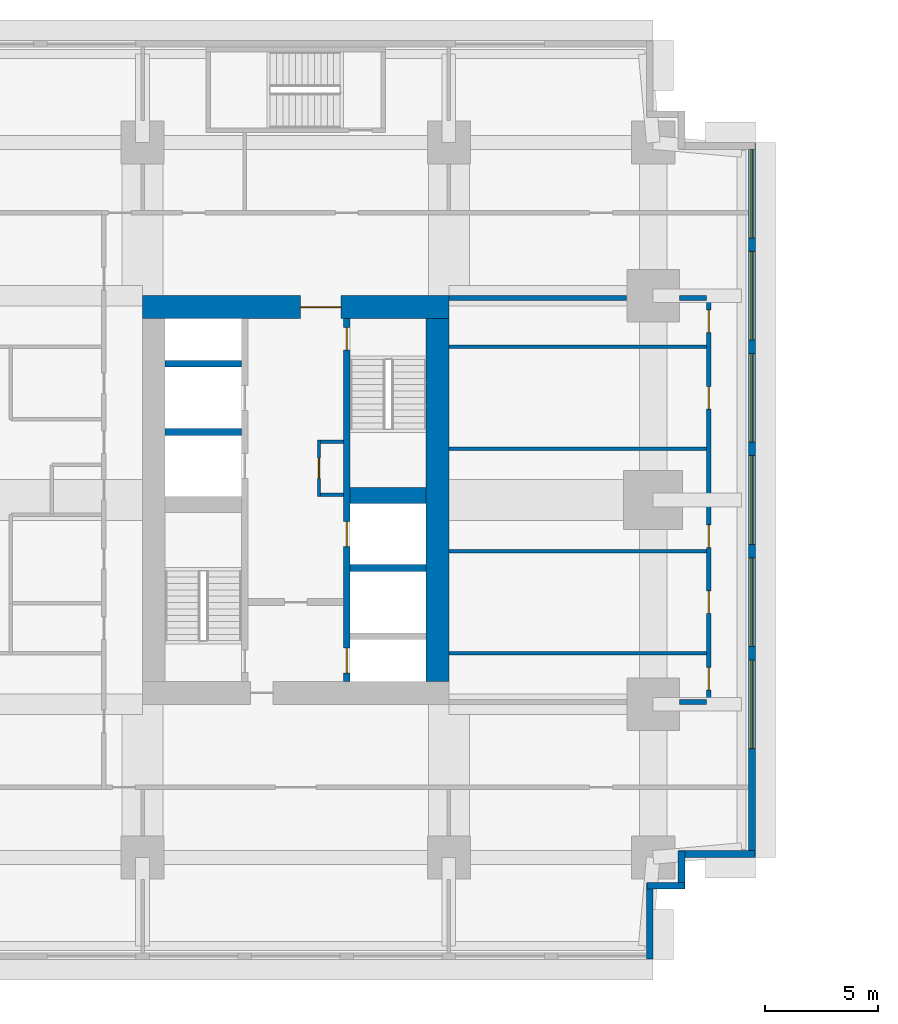
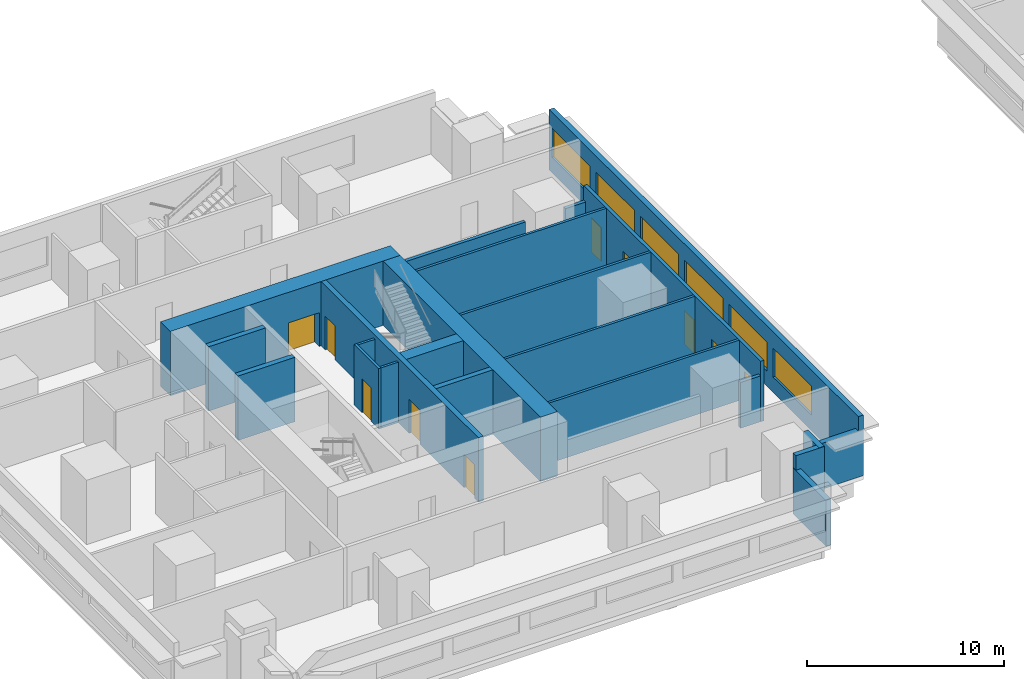
# One storey, part 4 of 11: 23 walls, 10 doors, 6 windows, 16 openings.
"""IFC4 building model written with IfcOpenShell, lengths in metres."""

from ifc_helpers import new_model, si_unit, direction, frame, frame_2d, origin, place, context, subcontext, project, spatial, rectangle, extrude, material, layer, layer_set, type_object, element, fill, save


model = new_model("IFC4")

# Units and contexts
model_context = context("Model", 3, precision=1e-05, world=origin(), true_north=direction((0.0, 1.0)))
body_context = subcontext(model_context, "Body", "Model", "MODEL_VIEW")
ifc_project = project(units=[si_unit("LENGTHUNIT", "METRE"), si_unit("AREAUNIT", "SQUARE_METRE"), si_unit("VOLUMEUNIT", "CUBIC_METRE"), si_unit("PLANEANGLEUNIT", "RADIAN"), si_unit("MASSUNIT", "GRAM", prefix="KILO")], contexts=[model_context])

# Site, building, storey
site_placement = place(None, origin())
site = spatial("IfcSite", under=ifc_project, at=site_placement, CompositionType="ELEMENT")
building_placement = place(site_placement, origin())
building = spatial("IfcBuilding", under=site, at=building_placement, Name="Namib Vertical Campus", CompositionType="ELEMENT")
storey_placement = place(building_placement, frame((0.0, 0.0, 93.0)))
storey = spatial("IfcBuildingStorey", under=building, at=storey_placement, Name="L21", CompositionType="ELEMENT", Elevation=93.0)

# Wall, openings, doors
ifc_material_1 = material(Name="Concrete C60/75", Category="concrete")
ifc_layer_1 = layer(ifc_material_1, 0.300048828125)
ifc_layer_set_1 = layer_set([ifc_layer_1], Name="Concrete C60/75")
wall_type_1 = type_object("IfcWallType", Name="Core inner wall 300", PredefinedType="SHEAR", material=ifc_layer_set_1)
wall_1_placement = place(storey_placement, frame((22.5, 12.25, 0.0), z_axis=(0.0, 0.0, 1.0), x_axis=(0.0, 1.0, 0.0)))
wall_1 = element("IfcWall", 1, at=wall_1_placement, inside=storey, type_object=wall_type_1, Name="Core inner wall A L21 W2", PredefinedType="SHEAR", context=body_context, shape_type="SweptSolid", body=[
    extrude(rectangle(XDim=16.0, YDim=0.300048828125, at=frame_2d((8.0, 0.0))), origin(), (0.0, 0.0, 1.0), 4.0),
])
opening_1_placement = place(wall_1_placement, frame((14.60009765625, 0.0, 0.0)))
opening_1 = element("IfcOpeningElement", 2, at=opening_1_placement, cuts=wall_1, Name="Opening FD1", PredefinedType="OPENING", context=body_context, shape_type="SweptSolid", body=[
    extrude(rectangle(XDim=1.0, YDim=2.10009765625, at=frame_2d((0.5, 1.050048828125))), frame((0.0, 0.159912109375, 0.0), z_axis=(0.0, -1.0, 0.0), x_axis=(1.0, 0.0, 0.0)), (0.0, 0.0, 1.0), 0.320068359375),
])
opening_2_placement = place(wall_1_placement, frame((0.375, 0.0, 0.0)))
opening_2 = element("IfcOpeningElement", 3, at=opening_2_placement, cuts=wall_1, Name="Opening LD1", PredefinedType="OPENING", context=body_context, shape_type="SweptSolid", body=[
    extrude(rectangle(XDim=1.10009765625, YDim=2.10009765625, at=frame_2d((0.550048828125, 1.050048828125))), frame((0.0, 0.159912109375, 0.0), z_axis=(0.0, -1.0, 0.0), x_axis=(1.0, 0.0, 0.0)), (0.0, 0.0, 1.0), 0.320068359375),
])
opening_3_placement = place(wall_1_placement, frame((5.949951171875, 0.0, 0.0)))
opening_3 = element("IfcOpeningElement", 4, at=opening_3_placement, cuts=wall_1, Name="Opening LD1", PredefinedType="OPENING", context=body_context, shape_type="SweptSolid", body=[
    extrude(rectangle(XDim=1.10009765625, YDim=2.10009765625, at=frame_2d((0.550048828125, 1.050048828125))), frame((0.0, 0.159912109375, 0.0), z_axis=(0.0, -1.0, 0.0), x_axis=(1.0, 0.0, 0.0)), (0.0, 0.0, 1.0), 0.320068359375),
])
ifc_material_2 = material(Name="Steel fire door", Category="steel")
door_type_1 = type_object("IfcDoorType", Name="Fire door 1000x2100", OperationType="SINGLE_SWING_RIGHT", PredefinedType="DOOR", material=ifc_material_2)
door_1_placement = place(opening_1_placement, frame((1.0, 0.0, 0.0), z_axis=(0.0, 0.0, 1.0), x_axis=(-1.0, 0.0, 0.0)))
door_1 = element("IfcDoor", 5, at=door_1_placement, inside=storey, type_object=door_type_1, Name="Stair door FD1 A L21 S2", OperationType="SINGLE_SWING_LEFT", OverallHeight=2.10009765625, OverallWidth=1.0, PredefinedType="DOOR", context=body_context, shape_type="SweptSolid", body=[
    extrude(rectangle(XDim=1.0, YDim=2.10009765625, at=frame_2d((0.5, 1.050048828125))), frame((0.0, 0.02490234375, 0.0), z_axis=(0.0, -1.0, 0.0), x_axis=(1.0, 0.0, 0.0)), (0.0, 0.0, 1.0), 0.050048828125),
])
fill(opening_1, door_1)
ifc_material_3 = material(Name="Stainless steel lift door", Category="steel")
door_type_2 = type_object("IfcDoorType", Name="Lift landing door 1100x2100", OperationType="DOUBLE_DOOR_SLIDING", PredefinedType="DOOR", material=ifc_material_3)
door_2_placement = place(opening_2_placement, origin())
door_2 = element("IfcDoor", 6, at=door_2_placement, inside=storey, type_object=door_type_2, Name="Lift landing door LD1 A-FL1 L21", OperationType="DOUBLE_DOOR_SLIDING", OverallHeight=2.10009765625, OverallWidth=1.10009765625, PredefinedType="DOOR", context=body_context, shape_type="SweptSolid", body=[
    extrude(rectangle(XDim=1.10009765625, YDim=2.10009765625, at=frame_2d((0.550048828125, 1.050048828125))), frame((0.0, 0.02490234375, 0.0), z_axis=(0.0, -1.0, 0.0), x_axis=(1.0, 0.0, 0.0)), (0.0, 0.0, 1.0), 0.050048828125),
])
fill(opening_2, door_2)
door_3_placement = place(opening_3_placement, origin())
door_3 = element("IfcDoor", 7, at=door_3_placement, inside=storey, type_object=door_type_2, Name="Lift landing door LD1 A-P5 L21", OperationType="DOUBLE_DOOR_SLIDING", OverallHeight=2.10009765625, OverallWidth=1.10009765625, PredefinedType="DOOR", context=body_context, shape_type="SweptSolid", body=[
    extrude(rectangle(XDim=1.10009765625, YDim=2.10009765625, at=frame_2d((0.550048828125, 1.050048828125))), frame((0.0, 0.02490234375, 0.0), z_axis=(0.0, -1.0, 0.0), x_axis=(1.0, 0.0, 0.0)), (0.0, 0.0, 1.0), 0.050048828125),
])
fill(opening_3, door_3)

# Walls
for number, where, z_axis, x_axis, name in (
    (8, (22.64990234375, 17.25, 0.0), (0.0, 0.0, 1.0), (1.0, 0.0, 0.0), "Core inner wall A L21 W6"),
    (9, (14.5, 23.25, 0.0), (0.0, 0.0, 1.0), (1.0, 0.0, 0.0), "Core inner wall A L21 W8"),
    (10, (14.5, 26.25, 0.0), (0.0, 0.0, 1.0), (1.0, 0.0, 0.0), "Core inner wall A L21 W9"),
):
    element("IfcWall", number, at=place(storey_placement, frame(where, z_axis=z_axis, x_axis=x_axis)), inside=storey, type_object=wall_type_1, Name=name, PredefinedType="SHEAR", context=body_context, shape_type="SweptSolid", body=[
        extrude(rectangle(XDim=3.35009765625, YDim=0.300048828125, at=frame_2d((1.675048828125, 0.0))), origin(), (0.0, 0.0, 1.0), 4.0),
    ])
ifc_material_4 = material(Name="Concrete C60/75", Category="concrete")
ifc_layer_2 = layer(ifc_material_4, 0.699951171875)
ifc_layer_set_2 = layer_set([ifc_layer_2], Name="Concrete C60/75")
wall_type_2 = type_object("IfcWallType", Name="Core shear wall 700", PredefinedType="SHEAR", material=ifc_layer_set_2)
wall_2_placement = place(storey_placement, frame((22.64990234375, 20.449951171875, 0.0), z_axis=(0.0, 0.0, 1.0), x_axis=(1.0, 0.0, 0.0)))
element("IfcWall", 11, at=wall_2_placement, inside=storey, type_object=wall_type_2, Name="Core shear wall A L21 W7", PredefinedType="SHEAR", context=body_context, shape_type="SweptSolid", body=[
    extrude(rectangle(XDim=3.35009765625, YDim=0.699951171875, at=frame_2d((1.675048828125, 0.0))), origin(), (0.0, 0.0, 1.0), 4.0),
])
ifc_material_5 = material(Name="Concrete C60/75", Category="concrete")
ifc_layer_3 = layer(ifc_material_5, 1.0)
ifc_layer_set_3 = layer_set([ifc_layer_3], Name="Concrete C60/75")
wall_type_3 = type_object("IfcWallType", Name="Core wall 1000", PredefinedType="SHEAR", material=ifc_layer_set_3)
wall_3_placement = place(storey_placement, frame((26.5, 12.25, 0.0), z_axis=(0.0, 0.0, 1.0), x_axis=(0.0, 1.0, 0.0)))
element("IfcWall", 12, at=wall_3_placement, inside=storey, type_object=wall_type_3, Name="Core wall A L21 2", PredefinedType="SHEAR", context=body_context, shape_type="SweptSolid", body=[
    extrude(rectangle(XDim=16.0, YDim=1.0, at=frame_2d((8.0, 0.0))), origin(), (0.0, 0.0, 1.0), 4.0),
])

# Wall, opening, door
wall_4_placement = place(storey_placement, frame((27.0, 28.75, 0.0), z_axis=(0.0, 0.0, 1.0), x_axis=(-1.0, 0.0, 0.0)))
wall_4 = element("IfcWall", 13, at=wall_4_placement, inside=storey, type_object=wall_type_3, Name="Core wall A L21 3", PredefinedType="SHEAR", context=body_context, shape_type="SweptSolid", body=[
    extrude(rectangle(XDim=13.5, YDim=1.0, at=frame_2d((6.75, 0.0))), origin(), (0.0, 0.0, 1.0), 4.0),
])
opening_4_placement = place(wall_4_placement, frame((4.75, 0.0, 0.0)))
opening_4 = element("IfcOpeningElement", 14, at=opening_4_placement, cuts=wall_4, Name="Opening FD2", PredefinedType="OPENING", context=body_context, shape_type="SweptSolid", body=[
    extrude(rectangle(XDim=1.800048828125, YDim=2.10009765625, at=frame_2d((0.89990234375, 1.050048828125))), frame((0.0, 0.510009765625, 0.0), z_axis=(0.0, -1.0, 0.0), x_axis=(1.0, 0.0, 0.0)), (0.0, 0.0, 1.0), 1.02001953125),
])
ifc_material_6 = material(Name="Steel fire door", Category="steel")
door_type_3 = type_object("IfcDoorType", Name="Fire door double 1800x2100", OperationType="DOUBLE_DOOR_SINGLE_SWING", PredefinedType="DOOR", material=ifc_material_6)
door_4_placement = place(opening_4_placement, origin())
door_4 = element("IfcDoor", 15, at=door_4_placement, inside=storey, type_object=door_type_3, Name="Lift lobby door FD2 A L21", OperationType="DOUBLE_DOOR_SINGLE_SWING", OverallHeight=2.10009765625, OverallWidth=1.800048828125, PredefinedType="DOOR", context=body_context, shape_type="SweptSolid", body=[
    extrude(rectangle(XDim=1.800048828125, YDim=2.10009765625, at=frame_2d((0.89990234375, 1.050048828125))), frame((0.0, 0.02490234375, 0.0), z_axis=(0.0, -1.0, 0.0), x_axis=(1.0, 0.0, 0.0)), (0.0, 0.0, 1.0), 0.050048828125),
])
fill(opening_4, door_4)

# Wall, openings, doors
ifc_material_7 = material(Name="Concrete masonry", Category="masonry")
ifc_layer_4 = layer(ifc_material_7, 0.199951171875)
ifc_layer_set_4 = layer_set([ifc_layer_4], Name="Corridor wall 200")
wall_type_4 = type_object("IfcWallType", Name="Corridor wall 200", PredefinedType="SOLIDWALL", material=ifc_layer_set_4)
wall_5_placement = place(storey_placement, frame((38.449951171875, 11.25, 0.0), z_axis=(0.0, 0.0, 1.0), x_axis=(0.0, 1.0, 0.0)))
wall_5 = element("IfcWall", 16, at=wall_5_placement, inside=storey, type_object=wall_type_4, Name="Corridor wall A L21 CG", PredefinedType="SOLIDWALL", context=body_context, shape_type="SweptSolid", body=[
    extrude(rectangle(XDim=18.0, YDim=0.199951171875, at=frame_2d((9.0, 0.0))), origin(), (0.0, 0.0, 1.0), 3.75),
])
opening_5_placement = place(wall_5_placement, frame((0.625, 0.0, 0.0)))
opening_5 = element("IfcOpeningElement", 17, at=opening_5_placement, cuts=wall_5, Name="Opening CD1", PredefinedType="OPENING", context=body_context, shape_type="SweptSolid", body=[
    extrude(rectangle(XDim=1.0, YDim=2.10009765625, at=frame_2d((0.5, 1.050048828125))), frame((0.0, 0.10986328125, 0.0), z_axis=(0.0, -1.0, 0.0), x_axis=(1.0, 0.0, 0.0)), (0.0, 0.0, 1.0), 0.219970703125),
])
opening_6_placement = place(wall_5_placement, frame((4.0, 0.0, 0.0)))
opening_6 = element("IfcOpeningElement", 18, at=opening_6_placement, cuts=wall_5, Name="Opening CD1", PredefinedType="OPENING", context=body_context, shape_type="SweptSolid", body=[
    extrude(rectangle(XDim=1.0, YDim=2.10009765625, at=frame_2d((0.5, 1.050048828125))), frame((0.0, 0.10986328125, 0.0), z_axis=(0.0, -1.0, 0.0), x_axis=(1.0, 0.0, 0.0)), (0.0, 0.0, 1.0), 0.219970703125),
])
opening_7_placement = place(wall_5_placement, frame((6.89990234375, 0.0, 0.0)))
opening_7 = element("IfcOpeningElement", 19, at=opening_7_placement, cuts=wall_5, Name="Opening CD1", PredefinedType="OPENING", context=body_context, shape_type="SweptSolid", body=[
    extrude(rectangle(XDim=1.0, YDim=2.10009765625, at=frame_2d((0.5, 1.050048828125))), frame((0.0, 0.10986328125, 0.0), z_axis=(0.0, -1.0, 0.0), x_axis=(1.0, 0.0, 0.0)), (0.0, 0.0, 1.0), 0.219970703125),
])
opening_8_placement = place(wall_5_placement, frame((13.0, 0.0, 0.0)))
opening_8 = element("IfcOpeningElement", 20, at=opening_8_placement, cuts=wall_5, Name="Opening CD1", PredefinedType="OPENING", context=body_context, shape_type="SweptSolid", body=[
    extrude(rectangle(XDim=1.0, YDim=2.10009765625, at=frame_2d((0.5, 1.050048828125))), frame((0.0, 0.10986328125, 0.0), z_axis=(0.0, -1.0, 0.0), x_axis=(1.0, 0.0, 0.0)), (0.0, 0.0, 1.0), 0.219970703125),
])
opening_9_placement = place(wall_5_placement, frame((16.375, 0.0, 0.0)))
opening_9 = element("IfcOpeningElement", 21, at=opening_9_placement, cuts=wall_5, Name="Opening CD1", PredefinedType="OPENING", context=body_context, shape_type="SweptSolid", body=[
    extrude(rectangle(XDim=1.0, YDim=2.10009765625, at=frame_2d((0.5, 1.050048828125))), frame((0.0, 0.10986328125, 0.0), z_axis=(0.0, -1.0, 0.0), x_axis=(1.0, 0.0, 0.0)), (0.0, 0.0, 1.0), 0.219970703125),
])
ifc_material_8 = material(Name="Timber fire door leaf", Category="wood")
door_type_4 = type_object("IfcDoorType", Name="Corridor door 1000x2100 20 min", OperationType="SINGLE_SWING_LEFT", PredefinedType="DOOR", material=ifc_material_8)
door_5_placement = place(opening_5_placement, origin())
door_5 = element("IfcDoor", 22, at=door_5_placement, inside=storey, type_object=door_type_4, Name="Door CD1 A21-04", OperationType="SINGLE_SWING_LEFT", OverallHeight=2.10009765625, OverallWidth=1.0, PredefinedType="DOOR", context=body_context, shape_type="SweptSolid", body=[
    extrude(rectangle(XDim=1.0, YDim=2.10009765625, at=frame_2d((0.5, 1.050048828125))), frame((0.0, 0.02490234375, 0.0), z_axis=(0.0, -1.0, 0.0), x_axis=(1.0, 0.0, 0.0)), (0.0, 0.0, 1.0), 0.050048828125),
])
fill(opening_5, door_5)
door_6_placement = place(opening_6_placement, origin())
door_6 = element("IfcDoor", 23, at=door_6_placement, inside=storey, type_object=door_type_4, Name="Door CD1 A21-05", OperationType="SINGLE_SWING_LEFT", OverallHeight=2.10009765625, OverallWidth=1.0, PredefinedType="DOOR", context=body_context, shape_type="SweptSolid", body=[
    extrude(rectangle(XDim=1.0, YDim=2.10009765625, at=frame_2d((0.5, 1.050048828125))), frame((0.0, 0.02490234375, 0.0), z_axis=(0.0, -1.0, 0.0), x_axis=(1.0, 0.0, 0.0)), (0.0, 0.0, 1.0), 0.050048828125),
])
fill(opening_6, door_6)
door_7_placement = place(opening_7_placement, origin())
door_7 = element("IfcDoor", 24, at=door_7_placement, inside=storey, type_object=door_type_4, Name="Door CD1 A21-06", OperationType="SINGLE_SWING_LEFT", OverallHeight=2.10009765625, OverallWidth=1.0, PredefinedType="DOOR", context=body_context, shape_type="SweptSolid", body=[
    extrude(rectangle(XDim=1.0, YDim=2.10009765625, at=frame_2d((0.5, 1.050048828125))), frame((0.0, 0.02490234375, 0.0), z_axis=(0.0, -1.0, 0.0), x_axis=(1.0, 0.0, 0.0)), (0.0, 0.0, 1.0), 0.050048828125),
])
fill(opening_7, door_7)
door_8_placement = place(opening_8_placement, origin())
door_8 = element("IfcDoor", 25, at=door_8_placement, inside=storey, type_object=door_type_4, Name="Door CD1 A21-07", OperationType="SINGLE_SWING_LEFT", OverallHeight=2.10009765625, OverallWidth=1.0, PredefinedType="DOOR", context=body_context, shape_type="SweptSolid", body=[
    extrude(rectangle(XDim=1.0, YDim=2.10009765625, at=frame_2d((0.5, 1.050048828125))), frame((0.0, 0.02490234375, 0.0), z_axis=(0.0, -1.0, 0.0), x_axis=(1.0, 0.0, 0.0)), (0.0, 0.0, 1.0), 0.050048828125),
])
fill(opening_8, door_8)
door_9_placement = place(opening_9_placement, origin())
door_9 = element("IfcDoor", 26, at=door_9_placement, inside=storey, type_object=door_type_4, Name="Door CD1 A21-08", OperationType="SINGLE_SWING_LEFT", OverallHeight=2.10009765625, OverallWidth=1.0, PredefinedType="DOOR", context=body_context, shape_type="SweptSolid", body=[
    extrude(rectangle(XDim=1.0, YDim=2.10009765625, at=frame_2d((0.5, 1.050048828125))), frame((0.0, 0.02490234375, 0.0), z_axis=(0.0, -1.0, 0.0), x_axis=(1.0, 0.0, 0.0)), (0.0, 0.0, 1.0), 0.050048828125),
])
fill(opening_9, door_9)

# Walls
wall_6_placement = place(storey_placement, frame((37.169921875, 11.35009765625, 0.0), z_axis=(0.0, 0.0, 1.0), x_axis=(1.0, 0.0, 0.0)))
element("IfcWall", 27, at=wall_6_placement, inside=storey, type_object=wall_type_4, Name="Corridor wall A L21 GS", PredefinedType="SOLIDWALL", context=body_context, shape_type="SweptSolid", body=[
    extrude(rectangle(XDim=1.18017578125, YDim=0.199951171875, at=frame_2d((0.590087890625, 0.0))), origin(), (0.0, 0.0, 1.0), 2.85009765625),
])
wall_7_placement = place(storey_placement, frame((27.0, 29.14990234375, 0.0), z_axis=(0.0, 0.0, 1.0), x_axis=(1.0, 0.0, 0.0)))
element("IfcWall", 28, at=wall_7_placement, inside=storey, type_object=wall_type_4, Name="Corridor wall A L21 GN", PredefinedType="SOLIDWALL", context=body_context, shape_type="SweptSolid", body=[
    extrude(rectangle(XDim=7.830078125, YDim=0.199951171875, at=frame_2d((3.9150390625, 0.0))), origin(), (0.0, 0.0, 1.0), 2.85009765625),
])
wall_8_placement = place(storey_placement, frame((37.169921875, 29.14990234375, 0.0), z_axis=(0.0, 0.0, 1.0), x_axis=(1.0, 0.0, 0.0)))
element("IfcWall", 29, at=wall_8_placement, inside=storey, type_object=wall_type_4, Name="Corridor wall A L21 GN", PredefinedType="SOLIDWALL", context=body_context, shape_type="SweptSolid", body=[
    extrude(rectangle(XDim=1.18017578125, YDim=0.199951171875, at=frame_2d((0.590087890625, 0.0))), origin(), (0.0, 0.0, 1.0), 2.85009765625),
])
ifc_material_9 = material(Name="Concrete C40/50", Category="concrete")
ifc_layer_5 = layer(ifc_material_9, 0.300048828125)
ifc_layer_set_5 = layer_set([ifc_layer_5], Name="Concrete C40/50")
wall_type_5 = type_object("IfcWallType", Name="External wall 300 board-marked concrete", PredefinedType="STANDARD", material=ifc_layer_set_5)
wall_9_placement = place(storey_placement, frame((35.85009765625, 0.02001953125, 0.0), z_axis=(0.0, 0.0, 1.0), x_axis=(0.0, 1.0, 0.0)))
element("IfcWall", 30, at=wall_9_placement, inside=storey, type_object=wall_type_5, Name="External wall L21 F02", PredefinedType="STANDARD", context=body_context, shape_type="SweptSolid", body=[
    extrude(rectangle(XDim=3.35986328125, YDim=0.300048828125, at=frame_2d((1.679931640625, 0.0))), origin(), (0.0, 0.0, 1.0), 2.85009765625),
])
for number, where, z_axis, x_axis, name in (
    (31, (35.719970703125, 3.25, 0.0), (0.0, 0.0, 1.0), (1.0, 0.0, 0.0), "External wall L21 F03"),
    (32, (37.25, 3.1201171875, 0.0), (0.0, 0.0, 1.0), (0.0, 1.0, 0.0), "External wall L21 F04"),
):
    element("IfcWall", number, at=place(storey_placement, frame(where, z_axis=z_axis, x_axis=x_axis)), inside=storey, type_object=wall_type_5, Name=name, PredefinedType="STANDARD", context=body_context, shape_type="SweptSolid", body=[
        extrude(rectangle(XDim=1.659912109375, YDim=0.300048828125, at=frame_2d((0.830078125, 0.0))), origin(), (0.0, 0.0, 1.0), 3.75),
    ])
wall_10_placement = place(storey_placement, frame((37.1201171875, 4.64990234375, 0.0), z_axis=(0.0, 0.0, 1.0), x_axis=(1.0, 0.0, 0.0)))
element("IfcWall", 33, at=wall_10_placement, inside=storey, type_object=wall_type_5, Name="External wall L21 F05", PredefinedType="STANDARD", context=body_context, shape_type="SweptSolid", body=[
    extrude(rectangle(XDim=3.35986328125, YDim=0.300048828125, at=frame_2d((1.679931640625, 0.0))), origin(), (0.0, 0.0, 1.0), 2.85009765625),
])

# Wall, openings, windows
wall_11_placement = place(storey_placement, frame((40.35009765625, 4.52001953125, 0.0), z_axis=(0.0, 0.0, 1.0), x_axis=(0.0, 1.0, 0.0)))
wall_11 = element("IfcWall", 34, at=wall_11_placement, inside=storey, type_object=wall_type_5, Name="External wall L21 F06", PredefinedType="STANDARD", context=body_context, shape_type="SweptSolid", body=[
    extrude(rectangle(XDim=31.4599609375, YDim=0.300048828125, at=frame_2d((15.72998046875, 0.0))), origin(), (0.0, 0.0, 1.0), 3.75),
])
opening_10_placement = place(wall_11_placement, frame((4.780029296875, 0.0, 0.949951171875)))
opening_10 = element("IfcOpeningElement", 35, at=opening_10_placement, cuts=wall_11, Name="Opening W3", PredefinedType="OPENING", context=body_context, shape_type="SweptSolid", body=[
    extrude(rectangle(XDim=3.89990234375, YDim=1.800048828125, at=frame_2d((1.949951171875, 0.89990234375))), frame((0.0, 0.159912109375, 0.0), z_axis=(0.0, -1.0, 0.0), x_axis=(1.0, 0.0, 0.0)), (0.0, 0.0, 1.0), 0.320068359375),
])
opening_11_placement = place(wall_11_placement, frame((9.280029296875, 0.0, 0.949951171875)))
opening_11 = element("IfcOpeningElement", 36, at=opening_11_placement, cuts=wall_11, Name="Opening W3", PredefinedType="OPENING", context=body_context, shape_type="SweptSolid", body=[
    extrude(rectangle(XDim=3.89990234375, YDim=1.800048828125, at=frame_2d((1.949951171875, 0.89990234375))), frame((0.0, 0.159912109375, 0.0), z_axis=(0.0, -1.0, 0.0), x_axis=(1.0, 0.0, 0.0)), (0.0, 0.0, 1.0), 0.320068359375),
])
opening_12_placement = place(wall_11_placement, frame((13.780029296875, 0.0, 0.949951171875)))
opening_12 = element("IfcOpeningElement", 37, at=opening_12_placement, cuts=wall_11, Name="Opening W3", PredefinedType="OPENING", context=body_context, shape_type="SweptSolid", body=[
    extrude(rectangle(XDim=3.89990234375, YDim=1.800048828125, at=frame_2d((1.949951171875, 0.89990234375))), frame((0.0, 0.159912109375, 0.0), z_axis=(0.0, -1.0, 0.0), x_axis=(1.0, 0.0, 0.0)), (0.0, 0.0, 1.0), 0.320068359375),
])
opening_13_placement = place(wall_11_placement, frame((18.280029296875, 0.0, 0.949951171875)))
opening_13 = element("IfcOpeningElement", 38, at=opening_13_placement, cuts=wall_11, Name="Opening W3", PredefinedType="OPENING", context=body_context, shape_type="SweptSolid", body=[
    extrude(rectangle(XDim=3.89990234375, YDim=1.800048828125, at=frame_2d((1.949951171875, 0.89990234375))), frame((0.0, 0.159912109375, 0.0), z_axis=(0.0, -1.0, 0.0), x_axis=(1.0, 0.0, 0.0)), (0.0, 0.0, 1.0), 0.320068359375),
])
opening_14_placement = place(wall_11_placement, frame((22.780029296875, 0.0, 0.949951171875)))
opening_14 = element("IfcOpeningElement", 39, at=opening_14_placement, cuts=wall_11, Name="Opening W3", PredefinedType="OPENING", context=body_context, shape_type="SweptSolid", body=[
    extrude(rectangle(XDim=3.89990234375, YDim=1.800048828125, at=frame_2d((1.949951171875, 0.89990234375))), frame((0.0, 0.159912109375, 0.0), z_axis=(0.0, -1.0, 0.0), x_axis=(1.0, 0.0, 0.0)), (0.0, 0.0, 1.0), 0.320068359375),
])
opening_15_placement = place(wall_11_placement, frame((27.280029296875, 0.0, 0.949951171875)))
opening_15 = element("IfcOpeningElement", 40, at=opening_15_placement, cuts=wall_11, Name="Opening W3", PredefinedType="OPENING", context=body_context, shape_type="SweptSolid", body=[
    extrude(rectangle(XDim=3.89990234375, YDim=1.800048828125, at=frame_2d((1.949951171875, 0.89990234375))), frame((0.0, 0.159912109375, 0.0), z_axis=(0.0, -1.0, 0.0), x_axis=(1.0, 0.0, 0.0)), (0.0, 0.0, 1.0), 0.320068359375),
])
ifc_material_10 = material(Name="Dark tinted glass in black aluminium frame", Category="aluminium")
window_type = type_object("IfcWindowType", Name="Ribbon window 3900x1800", PartitioningType="SINGLE_PANEL", PredefinedType="WINDOW", material=ifc_material_10)
window_1_placement = place(opening_10_placement, origin())
window_1 = element("IfcWindow", 41, at=window_1_placement, inside=storey, type_object=window_type, Name="Window W3 L21 F06-2", OverallHeight=1.800048828125, OverallWidth=3.89990234375, PartitioningType="SINGLE_PANEL", PredefinedType="WINDOW", context=body_context, shape_type="SweptSolid", body=[
    extrude(rectangle(XDim=3.89990234375, YDim=1.800048828125, at=frame_2d((1.949951171875, 0.89990234375))), frame((0.0, 0.030029296875, 0.0), z_axis=(0.0, -1.0, 0.0), x_axis=(1.0, 0.0, 0.0)), (0.0, 0.0, 1.0), 0.06005859375),
])
fill(opening_10, window_1)
window_2_placement = place(opening_11_placement, origin())
window_2 = element("IfcWindow", 42, at=window_2_placement, inside=storey, type_object=window_type, Name="Window W3 L21 F06-3", OverallHeight=1.800048828125, OverallWidth=3.89990234375, PartitioningType="SINGLE_PANEL", PredefinedType="WINDOW", context=body_context, shape_type="SweptSolid", body=[
    extrude(rectangle(XDim=3.89990234375, YDim=1.800048828125, at=frame_2d((1.949951171875, 0.89990234375))), frame((0.0, 0.030029296875, 0.0), z_axis=(0.0, -1.0, 0.0), x_axis=(1.0, 0.0, 0.0)), (0.0, 0.0, 1.0), 0.06005859375),
])
fill(opening_11, window_2)
window_3_placement = place(opening_12_placement, origin())
window_3 = element("IfcWindow", 43, at=window_3_placement, inside=storey, type_object=window_type, Name="Window W3 L21 F06-4", OverallHeight=1.800048828125, OverallWidth=3.89990234375, PartitioningType="SINGLE_PANEL", PredefinedType="WINDOW", context=body_context, shape_type="SweptSolid", body=[
    extrude(rectangle(XDim=3.89990234375, YDim=1.800048828125, at=frame_2d((1.949951171875, 0.89990234375))), frame((0.0, 0.030029296875, 0.0), z_axis=(0.0, -1.0, 0.0), x_axis=(1.0, 0.0, 0.0)), (0.0, 0.0, 1.0), 0.06005859375),
])
fill(opening_12, window_3)
window_4_placement = place(opening_13_placement, origin())
window_4 = element("IfcWindow", 44, at=window_4_placement, inside=storey, type_object=window_type, Name="Window W3 L21 F06-5", OverallHeight=1.800048828125, OverallWidth=3.89990234375, PartitioningType="SINGLE_PANEL", PredefinedType="WINDOW", context=body_context, shape_type="SweptSolid", body=[
    extrude(rectangle(XDim=3.89990234375, YDim=1.800048828125, at=frame_2d((1.949951171875, 0.89990234375))), frame((0.0, 0.030029296875, 0.0), z_axis=(0.0, -1.0, 0.0), x_axis=(1.0, 0.0, 0.0)), (0.0, 0.0, 1.0), 0.06005859375),
])
fill(opening_13, window_4)
window_5_placement = place(opening_14_placement, origin())
window_5 = element("IfcWindow", 45, at=window_5_placement, inside=storey, type_object=window_type, Name="Window W3 L21 F06-6", OverallHeight=1.800048828125, OverallWidth=3.89990234375, PartitioningType="SINGLE_PANEL", PredefinedType="WINDOW", context=body_context, shape_type="SweptSolid", body=[
    extrude(rectangle(XDim=3.89990234375, YDim=1.800048828125, at=frame_2d((1.949951171875, 0.89990234375))), frame((0.0, 0.030029296875, 0.0), z_axis=(0.0, -1.0, 0.0), x_axis=(1.0, 0.0, 0.0)), (0.0, 0.0, 1.0), 0.06005859375),
])
fill(opening_14, window_5)
window_6_placement = place(opening_15_placement, origin())
window_6 = element("IfcWindow", 46, at=window_6_placement, inside=storey, type_object=window_type, Name="Window W3 L21 F06-7", OverallHeight=1.800048828125, OverallWidth=3.89990234375, PartitioningType="SINGLE_PANEL", PredefinedType="WINDOW", context=body_context, shape_type="SweptSolid", body=[
    extrude(rectangle(XDim=3.89990234375, YDim=1.800048828125, at=frame_2d((1.949951171875, 0.89990234375))), frame((0.0, 0.030029296875, 0.0), z_axis=(0.0, -1.0, 0.0), x_axis=(1.0, 0.0, 0.0)), (0.0, 0.0, 1.0), 0.06005859375),
])
fill(opening_15, window_6)

# Wall, opening, door
ifc_material_11 = material(Name="Gypsum board on steel studs", Category="steel")
ifc_layer_6 = layer(ifc_material_11, 0.14990234375)
ifc_layer_set_6 = layer_set([ifc_layer_6], Name="Gypsum board on steel studs")
wall_type_6 = type_object("IfcWallType", Name="Partition 150", PredefinedType="PARTITIONING", material=ifc_layer_set_6)
wall_12_placement = place(storey_placement, frame((21.27490234375, 20.39990234375, 0.0), z_axis=(0.0, 0.0, 1.0), x_axis=(0.0, 1.0, 0.0)))
wall_12 = element("IfcWall", 47, at=wall_12_placement, inside=storey, type_object=wall_type_6, Name="Partition A L21 Cleaners' store front", PredefinedType="PARTITIONING", context=body_context, shape_type="SweptSolid", body=[
    extrude(rectangle(XDim=2.5, YDim=0.14990234375, at=frame_2d((1.25, 0.0))), origin(), (0.0, 0.0, 1.0), 3.75),
])
opening_16_placement = place(wall_12_placement, frame((0.800048828125, 0.0, 0.0)))
opening_16 = element("IfcOpeningElement", 48, at=opening_16_placement, cuts=wall_12, Name="Opening D3", PredefinedType="OPENING", context=body_context, shape_type="SweptSolid", body=[
    extrude(rectangle(XDim=0.89990234375, YDim=2.10009765625, at=frame_2d((0.449951171875, 1.050048828125))), frame((0.0, 0.0849609375, 0.0), z_axis=(0.0, -1.0, 0.0), x_axis=(1.0, 0.0, 0.0)), (0.0, 0.0, 1.0), 0.169921875),
])
ifc_material_12 = material(Name="Timber door leaf", Category="wood")
door_type_5 = type_object("IfcDoorType", Name="Toilet door 900x2100", OperationType="SINGLE_SWING_LEFT", PredefinedType="DOOR", material=ifc_material_12)
door_10_placement = place(opening_16_placement, frame((0.89990234375, 0.0, 0.0), z_axis=(0.0, 0.0, 1.0), x_axis=(-1.0, 0.0, 0.0)))
door_10 = element("IfcDoor", 49, at=door_10_placement, inside=storey, type_object=door_type_5, Name="Door D3 Cleaners' store A L21", OperationType="SINGLE_SWING_RIGHT", OverallHeight=2.10009765625, OverallWidth=0.89990234375, PredefinedType="DOOR", context=body_context, shape_type="SweptSolid", body=[
    extrude(rectangle(XDim=0.89990234375, YDim=2.10009765625, at=frame_2d((0.449951171875, 1.050048828125))), frame((0.0, 0.02490234375, 0.0), z_axis=(0.0, -1.0, 0.0), x_axis=(1.0, 0.0, 0.0)), (0.0, 0.0, 1.0), 0.050048828125),
])
fill(opening_16, door_10)

# Walls
for number, where, z_axis, x_axis, name in (
    (50, (21.35009765625, 20.47509765625, 0.0), (0.0, 0.0, 1.0), (1.0, 0.0, 0.0), "Partition A L21 Cleaners' store end 1"),
    (51, (21.35009765625, 22.824951171875, 0.0), (0.0, 0.0, 1.0), (1.0, 0.0, 0.0), "Partition A L21 Cleaners' store end 2"),
):
    element("IfcWall", number, at=place(storey_placement, frame(where, z_axis=z_axis, x_axis=x_axis)), inside=storey, type_object=wall_type_6, Name=name, PredefinedType="PARTITIONING", context=body_context, shape_type="SweptSolid", body=[
        extrude(rectangle(XDim=1.0, YDim=0.14990234375, at=frame_2d((0.5, 0.0))), origin(), (0.0, 0.0, 1.0), 3.75),
    ])
for number, where, z_axis, x_axis, name in (
    (52, (27.0, 13.5, 0.0), (0.0, 0.0, 1.0), (1.0, 0.0, 0.0), "Partition A L21 PE1"),
    (53, (27.0, 18.0, 0.0), (0.0, 0.0, 1.0), (1.0, 0.0, 0.0), "Partition A L21 PE2"),
    (54, (27.0, 22.5, 0.0), (0.0, 0.0, 1.0), (1.0, 0.0, 0.0), "Partition A L21 PE3"),
    (55, (27.0, 27.0, 0.0), (0.0, 0.0, 1.0), (1.0, 0.0, 0.0), "Partition A L21 PE4"),
):
    element("IfcWall", number, at=place(storey_placement, frame(where, z_axis=z_axis, x_axis=x_axis)), inside=storey, type_object=wall_type_6, Name=name, PredefinedType="PARTITIONING", context=body_context, shape_type="SweptSolid", body=[
        extrude(rectangle(XDim=11.35009765625, YDim=0.14990234375, at=frame_2d((5.675048828125, 0.0))), origin(), (0.0, 0.0, 1.0), 3.75),
    ])

save(model, "model.ifc")
